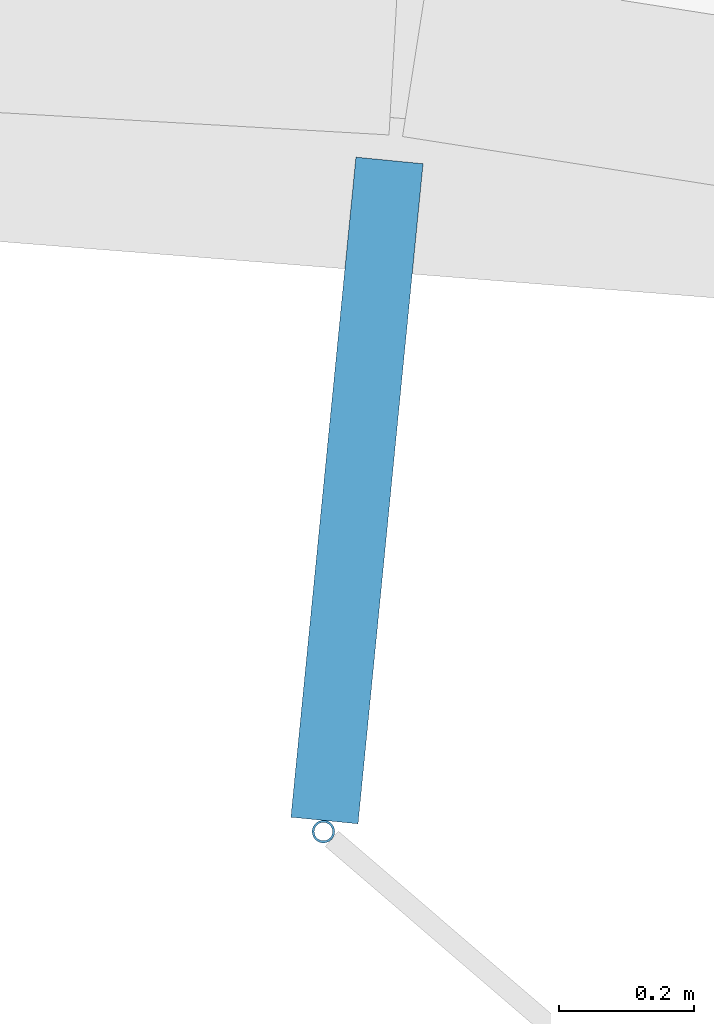
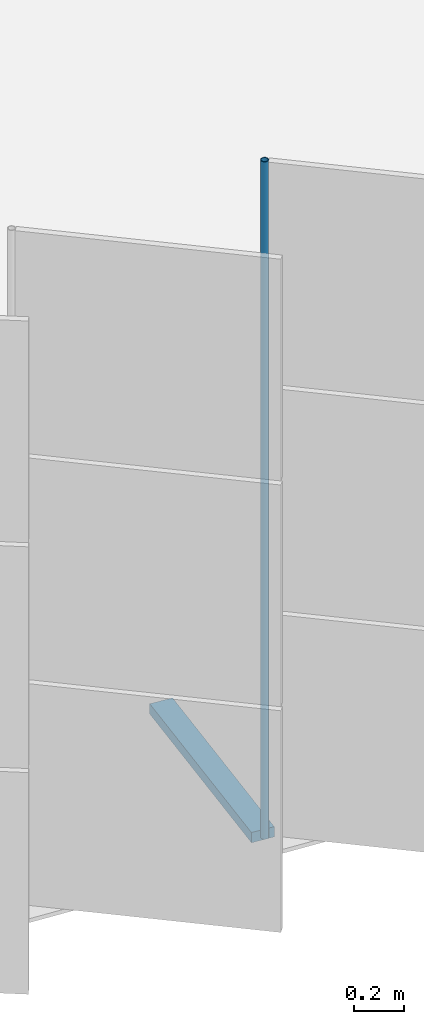
# One storey, part 124 of 214: 2 discrete accessories.
"""IFC4 building model written with IfcOpenShell, lengths in metres."""

from ifc_helpers import new_model, si_unit, direction, frame, origin, origin_2d, place, context, subcontext, project, spatial, rectangle, hollow_circle, extrude, material, material_profile, profile_set, type_object, element, save


model = new_model("IFC4")

# Units and contexts
model_context = context("Model", 3, precision=1e-05, world=origin(), true_north=direction((0.0, 1.0)))
body_context = subcontext(model_context, "Body", "Model", "MODEL_VIEW")
ifc_project = project(units=[si_unit("LENGTHUNIT", "METRE"), si_unit("AREAUNIT", "SQUARE_METRE"), si_unit("VOLUMEUNIT", "CUBIC_METRE"), si_unit("PLANEANGLEUNIT", "RADIAN"), si_unit("MASSUNIT", "GRAM", prefix="KILO")], contexts=[model_context])

# Site, building, storey
site_placement = place(None, origin())
site = spatial("IfcSite", under=ifc_project, at=site_placement, CompositionType="ELEMENT")
building_placement = place(site_placement, origin())
building = spatial("IfcBuilding", under=site, at=building_placement, Name="Parallax Yard Mobility Hub", CompositionType="ELEMENT")
storey_placement = place(building_placement, frame((0.0, 0.0, 3.300048828125)))
storey = spatial("IfcBuildingStorey", under=building, at=storey_placement, Name="L01", CompositionType="ELEMENT", Elevation=3.300048828125)

# Discrete accessories
ifc_material_1 = material(Name="Steel ASTM A36, hot-dip galvanised", Category="steel")
discrete_accessory_type_1 = type_object("IfcDiscreteAccessoryType", Name="Hinge bracket plate 100x50", PredefinedType="BRACKET", material=ifc_material_1)
discrete_accessory_1_placement = place(storey_placement, frame((174.797119140625, 111.876708984375, -0.02490234375), z_axis=(0.0, 0.0, 1.0), x_axis=(-0.09801714033, -0.995184726672, 0.0)))
element("IfcDiscreteAccessory", 1, at=discrete_accessory_1_placement, inside=storey, type_object=discrete_accessory_type_1, Name="Hinge bracket plate bay 18.3 level L01", PredefinedType="BRACKET", context=body_context, shape_type="SweptSolid", body=[
    extrude(rectangle(XDim=0.984130859375, YDim=0.10009765625, at=origin_2d()), origin(), (0.0, 0.0, 1.0), 0.050048828125),
])
ifc_material_2 = material(Name="Steel ASTM A500 Gr C, hot-dip galvanised", Category="steel")
ifc_material_profile = material_profile(ifc_material_2, hollow_circle(Radius=0.016845703125, WallThickness=0.003173828125, at=origin_2d()), Name="CHS 33.7x3.2")
ifc_profile_set = profile_set([ifc_material_profile], Name="Steel ASTM A500 Gr C, hot-dip galvanised")
discrete_accessory_type_2 = type_object("IfcDiscreteAccessoryType", Name="Hinge post CHS 33.7x3.2", PredefinedType="BRACKET", material=ifc_profile_set)
discrete_accessory_2_placement = place(storey_placement, frame((174.747314453125, 111.37060546875, 0.0), z_axis=(0.0, 0.0, 1.0), x_axis=(1.0, 0.0, 0.0)))
element("IfcDiscreteAccessory", 2, at=discrete_accessory_2_placement, inside=storey, type_object=discrete_accessory_type_2, Name="Hinge post bay 18.3 level L01", PredefinedType="BRACKET", context=body_context, shape_type="SweptSolid", body=[
    extrude(hollow_circle(Radius=0.016845703125, WallThickness=0.003173828125, at=origin_2d()), origin(), (0.0, 0.0, 1.0), 3.300048828125),
])

save(model, "model.ifc")
